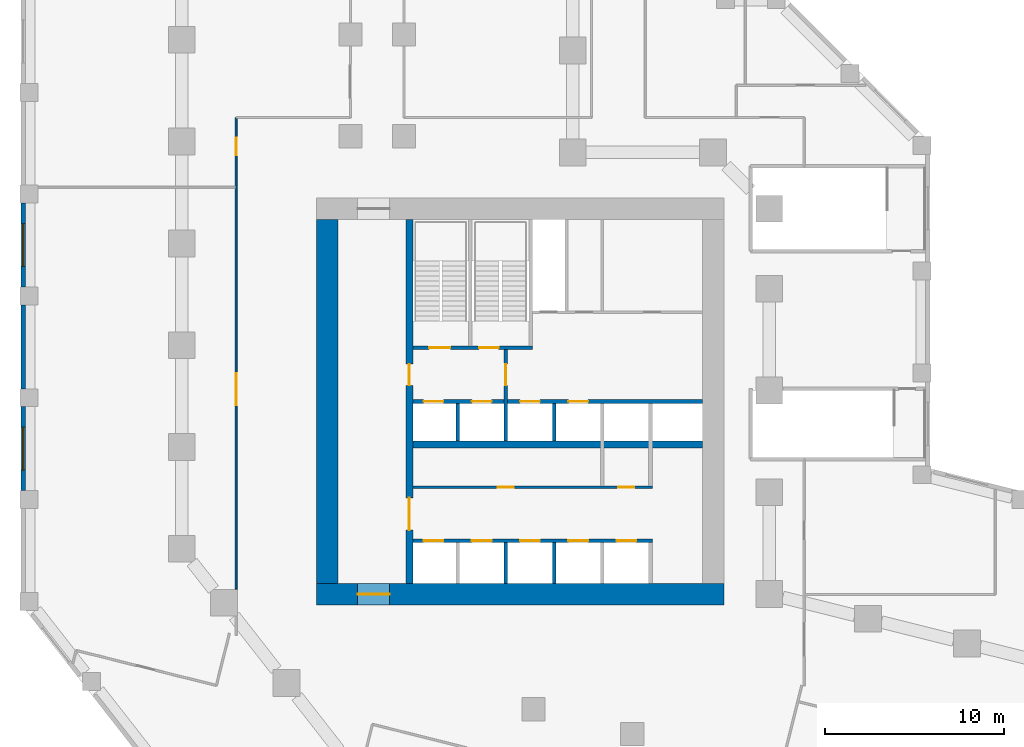
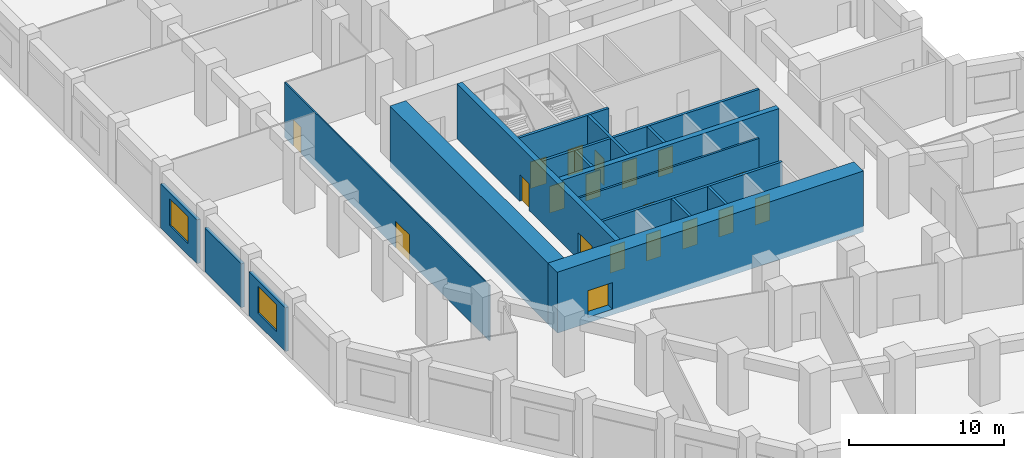
# One storey, part 5 of 13: 19 doors, 17 walls, 2 windows, 21 openings.
"""IFC4 building model written with IfcOpenShell, lengths in metres."""

from ifc_helpers import new_model, si_unit, direction, frame, frame_2d, origin, place, context, subcontext, project, spatial, rectangle, extrude, material, layer, layer_set, type_object, element, fill, save


model = new_model("IFC4")

# Units and contexts
model_context = context("Model", 3, precision=1e-05, world=origin(), true_north=direction((0.0, 1.0)))
body_context = subcontext(model_context, "Body", "Model", "MODEL_VIEW")
ifc_project = project(units=[si_unit("LENGTHUNIT", "METRE"), si_unit("AREAUNIT", "SQUARE_METRE"), si_unit("VOLUMEUNIT", "CUBIC_METRE"), si_unit("PLANEANGLEUNIT", "RADIAN"), si_unit("MASSUNIT", "GRAM", prefix="KILO")], contexts=[model_context])

# Site, building, storey
site_placement = place(None, origin())
site = spatial("IfcSite", under=ifc_project, at=site_placement, CompositionType="ELEMENT")
building_placement = place(site_placement, origin())
building = spatial("IfcBuilding", under=site, at=building_placement, Name="Meshkara Civic Tower", CompositionType="ELEMENT")
storey_placement = place(building_placement, frame((0.0, 0.0, 28.199951171875)))
storey = spatial("IfcBuildingStorey", under=building, at=storey_placement, Name="L05", CompositionType="ELEMENT", Elevation=28.199951171875)

# Wall, openings, doors
ifc_material_1 = material(Name="Blockwork", Category="masonry")
ifc_layer_1 = layer(ifc_material_1, 0.14990234375)
ifc_layer_set_1 = layer_set([ifc_layer_1], Name="Core partition 150")
wall_type_1 = type_object("IfcWallType", Name="Core partition 150", PredefinedType="PARTITIONING", material=ifc_layer_set_1)
wall_1_placement = place(storey_placement, frame((13.39990234375, 20.699951171875, 0.0), z_axis=(0.0, 0.0, 1.0), x_axis=(1.0, 0.0, 0.0)))
wall_1 = element("IfcWall", 1, at=wall_1_placement, inside=storey, type_object=wall_type_1, Name="L05-C006", PredefinedType="PARTITIONING", context=body_context, shape_type="SweptSolid", body=[
    extrude(rectangle(XDim=13.400146484375, YDim=0.14990234375, at=frame_2d((6.7001953125, 0.0))), origin(), (0.0, 0.0, 1.0), 4.35009765625),
])
opening_1_placement = place(wall_1_placement, frame((4.75, 0.0, 0.0)))
opening_1 = element("IfcOpeningElement", 2, at=opening_1_placement, cuts=wall_1, Name="Opening L05-K010", PredefinedType="OPENING", context=body_context, shape_type="SweptSolid", body=[
    extrude(rectangle(XDim=0.89990234375, YDim=2.10009765625, at=frame_2d((0.449951171875, 1.050048828125))), frame((0.0, 0.0849609375, 0.0), z_axis=(0.0, -1.0, 0.0), x_axis=(1.0, 0.0, 0.0)), (0.0, 0.0, 1.0), 0.169921875),
])
opening_2_placement = place(wall_1_placement, frame((11.5, 0.0, 0.0)))
opening_2 = element("IfcOpeningElement", 3, at=opening_2_placement, cuts=wall_1, Name="Opening L05-K011", PredefinedType="OPENING", context=body_context, shape_type="SweptSolid", body=[
    extrude(rectangle(XDim=0.89990234375, YDim=2.10009765625, at=frame_2d((0.449951171875, 1.050048828125))), frame((0.0, 0.0849609375, 0.0), z_axis=(0.0, -1.0, 0.0), x_axis=(1.0, 0.0, 0.0)), (0.0, 0.0, 1.0), 0.169921875),
])
ifc_material_2 = material(Name="Timber door leaf in steel frame", Category="steel")
door_type_1 = type_object("IfcDoorType", Name="Core room door 900", OperationType="SINGLE_SWING_LEFT", PredefinedType="DOOR", material=ifc_material_2)
door_1_placement = place(opening_1_placement, origin())
door_1 = element("IfcDoor", 4, at=door_1_placement, inside=storey, type_object=door_type_1, Name="L05-K010", OperationType="SINGLE_SWING_RIGHT", OverallHeight=2.10009765625, OverallWidth=0.89990234375, PredefinedType="DOOR", context=body_context, shape_type="SweptSolid", body=[
    extrude(rectangle(XDim=0.89990234375, YDim=2.10009765625, at=frame_2d((0.449951171875, 1.050048828125))), frame((0.0, 0.02490234375, 0.0), z_axis=(0.0, -1.0, 0.0), x_axis=(1.0, 0.0, 0.0)), (0.0, 0.0, 1.0), 0.050048828125),
])
fill(opening_1, door_1)
door_2_placement = place(opening_2_placement, origin())
door_2 = element("IfcDoor", 5, at=door_2_placement, inside=storey, type_object=door_type_1, Name="L05-K011", OperationType="SINGLE_SWING_RIGHT", OverallHeight=2.10009765625, OverallWidth=0.89990234375, PredefinedType="DOOR", context=body_context, shape_type="SweptSolid", body=[
    extrude(rectangle(XDim=0.89990234375, YDim=2.10009765625, at=frame_2d((0.449951171875, 1.050048828125))), frame((0.0, 0.02490234375, 0.0), z_axis=(0.0, -1.0, 0.0), x_axis=(1.0, 0.0, 0.0)), (0.0, 0.0, 1.0), 0.050048828125),
])
fill(opening_2, door_2)

# Wall, opening, door
ifc_material_3 = material(Name="Concrete C80", Category="concrete")
ifc_layer_2 = layer(ifc_material_3, 1.199951171875)
ifc_layer_set_2 = layer_set([ifc_layer_2], Name="Core ring wall 1200 C80")
wall_type_2 = type_object("IfcWallType", Name="Core ring wall 1200 C80", PredefinedType="SHEAR", material=ifc_layer_set_2)
wall_2_placement = place(storey_placement, frame((8.0, 14.699951171875, -0.449951171875), z_axis=(0.0, 0.0, 1.0), x_axis=(1.0, 0.0, 0.0)))
wall_2 = element("IfcWall", 6, at=wall_2_placement, inside=storey, type_object=wall_type_2, Name="L05-C001", PredefinedType="SHEAR", context=body_context, shape_type="SweptSolid", body=[
    extrude(rectangle(XDim=22.800048828125, YDim=1.199951171875, at=frame_2d((11.39990234375, 0.0))), origin(), (0.0, 0.0, 1.0), 4.800048828125),
])
opening_3_placement = place(wall_2_placement, frame((2.300048828125, 0.0, 0.449951171875)))
opening_3 = element("IfcOpeningElement", 7, at=opening_3_placement, cuts=wall_2, Name="Opening L05-K021", PredefinedType="OPENING", context=body_context, shape_type="SweptSolid", body=[
    extrude(rectangle(XDim=1.800048828125, YDim=2.10009765625, at=frame_2d((0.89990234375, 1.050048828125))), frame((0.0, 0.60986328125, 0.0), z_axis=(0.0, -1.0, 0.0), x_axis=(1.0, 0.0, 0.0)), (0.0, 0.0, 1.0), 1.219970703125),
])
ifc_material_4 = material(Name="Fire-rated door leaf in steel frame", Category="steel")
door_type_2 = type_object("IfcDoorType", Name="Core double door 1800 EI 60", OperationType="DOUBLE_DOOR_SINGLE_SWING", PredefinedType="DOOR", material=ifc_material_4)
door_3_placement = place(opening_3_placement, origin())
door_3 = element("IfcDoor", 8, at=door_3_placement, inside=storey, type_object=door_type_2, Name="L05-K021", OperationType="DOUBLE_DOOR_SINGLE_SWING", OverallHeight=2.10009765625, OverallWidth=1.800048828125, PredefinedType="DOOR", context=body_context, shape_type="SweptSolid", body=[
    extrude(rectangle(XDim=1.800048828125, YDim=2.10009765625, at=frame_2d((0.89990234375, 1.050048828125))), frame((0.0, 0.02490234375, 0.0), z_axis=(0.0, -1.0, 0.0), x_axis=(1.0, 0.0, 0.0)), (0.0, 0.0, 1.0), 0.050048828125),
])
fill(opening_3, door_3)

# Walls
wall_3_placement = place(storey_placement, frame((8.60009765625, 15.300048828125, -0.449951171875), z_axis=(0.0, 0.0, 1.0), x_axis=(0.0, 1.0, 0.0)))
element("IfcWall", 9, at=wall_3_placement, inside=storey, type_object=wall_type_2, Name="L05-C003", PredefinedType="SHEAR", context=body_context, shape_type="SweptSolid", body=[
    extrude(rectangle(XDim=20.39990234375, YDim=1.199951171875, at=frame_2d((10.199951171875, 0.0))), origin(), (0.0, 0.0, 1.0), 4.800048828125),
])
ifc_material_5 = material(Name="Concrete C80", Category="concrete")
ifc_layer_3 = layer(ifc_material_5, 0.39990234375)
ifc_layer_set_3 = layer_set([ifc_layer_3], Name="Core shear wall 400 C80")
wall_type_3 = type_object("IfcWallType", Name="Core shear wall 400 C80", PredefinedType="SHEAR", material=ifc_layer_set_3)
wall_4_placement = place(storey_placement, frame((13.39990234375, 23.10009765625, 0.0), z_axis=(0.0, 0.0, 1.0), x_axis=(1.0, 0.0, 0.0)))
element("IfcWall", 10, at=wall_4_placement, inside=storey, type_object=wall_type_3, Name="L05-C007", PredefinedType="SHEAR", context=body_context, shape_type="SweptSolid", body=[
    extrude(rectangle(XDim=16.2001953125, YDim=0.39990234375, at=frame_2d((8.10009765625, 0.0))), origin(), (0.0, 0.0, 1.0), 4.35009765625),
])

# Wall, openings, doors
wall_5_placement = place(storey_placement, frame((13.199951171875, 15.300048828125, 0.0), z_axis=(0.0, 0.0, 1.0), x_axis=(0.0, 1.0, 0.0)))
wall_5 = element("IfcWall", 11, at=wall_5_placement, inside=storey, type_object=wall_type_3, Name="L05-C011", PredefinedType="SHEAR", context=body_context, shape_type="SweptSolid", body=[
    extrude(rectangle(XDim=20.39990234375, YDim=0.39990234375, at=frame_2d((10.199951171875, 0.0))), origin(), (0.0, 0.0, 1.0), 4.35009765625),
])
opening_4_placement = place(wall_5_placement, frame((3.0, 0.0, 0.0)))
opening_4 = element("IfcOpeningElement", 12, at=opening_4_placement, cuts=wall_5, Name="Opening L05-K017", PredefinedType="OPENING", context=body_context, shape_type="SweptSolid", body=[
    extrude(rectangle(XDim=1.800048828125, YDim=2.10009765625, at=frame_2d((0.89990234375, 1.050048828125))), frame((0.0, 0.2099609375, 0.0), z_axis=(0.0, -1.0, 0.0), x_axis=(1.0, 0.0, 0.0)), (0.0, 0.0, 1.0), 0.419921875),
])
opening_5_placement = place(wall_5_placement, frame((11.10009765625, 0.0, 0.0)))
opening_5 = element("IfcOpeningElement", 13, at=opening_5_placement, cuts=wall_5, Name="Opening L05-K018", PredefinedType="OPENING", context=body_context, shape_type="SweptSolid", body=[
    extrude(rectangle(XDim=1.199951171875, YDim=2.10009765625, at=frame_2d((0.60009765625, 1.050048828125))), frame((0.0, 0.2099609375, 0.0), z_axis=(0.0, -1.0, 0.0), x_axis=(1.0, 0.0, 0.0)), (0.0, 0.0, 1.0), 0.419921875),
])
door_4_placement = place(opening_4_placement, origin())
door_4 = element("IfcDoor", 14, at=door_4_placement, inside=storey, type_object=door_type_2, Name="L05-K017", OperationType="DOUBLE_DOOR_SINGLE_SWING", OverallHeight=2.10009765625, OverallWidth=1.800048828125, PredefinedType="DOOR", context=body_context, shape_type="SweptSolid", body=[
    extrude(rectangle(XDim=1.800048828125, YDim=2.10009765625, at=frame_2d((0.89990234375, 1.050048828125))), frame((0.0, 0.02490234375, 0.0), z_axis=(0.0, -1.0, 0.0), x_axis=(1.0, 0.0, 0.0)), (0.0, 0.0, 1.0), 0.050048828125),
])
fill(opening_4, door_4)
ifc_material_6 = material(Name="Fire-rated door leaf in steel frame", Category="steel")
door_type_3 = type_object("IfcDoorType", Name="Fire-fighting lobby door 1200 EI 120", OperationType="SINGLE_SWING_LEFT", PredefinedType="DOOR", material=ifc_material_6)
door_5_placement = place(opening_5_placement, origin())
door_5 = element("IfcDoor", 15, at=door_5_placement, inside=storey, type_object=door_type_3, Name="L05-K018", OperationType="SINGLE_SWING_LEFT", OverallHeight=2.10009765625, OverallWidth=1.199951171875, PredefinedType="DOOR", context=body_context, shape_type="SweptSolid", body=[
    extrude(rectangle(XDim=1.199951171875, YDim=2.10009765625, at=frame_2d((0.60009765625, 1.050048828125))), frame((0.0, 0.02490234375, 0.0), z_axis=(0.0, -1.0, 0.0), x_axis=(1.0, 0.0, 0.0)), (0.0, 0.0, 1.0), 0.050048828125),
])
fill(opening_5, door_5)

ifc_material_7 = material(Name="Corridor wall 100")
ifc_layer_4 = layer(ifc_material_7, 0.10009765625)
ifc_layer_set_4 = layer_set([ifc_layer_4], Name="Corridor wall 100")
wall_type_4 = type_object("IfcWallType", Name="Corridor wall 100", PredefinedType="PARTITIONING", material=ifc_layer_set_4)
wall_6_placement = place(storey_placement, frame((3.5, 14.9990234375, 0.0), z_axis=(0.0, 0.0, 1.0), x_axis=(0.0, 1.0, 0.0)))
wall_6 = element("IfcWall", 16, at=wall_6_placement, inside=storey, type_object=wall_type_4, Name="L05-R008", PredefinedType="PARTITIONING", context=body_context, shape_type="SweptSolid", body=[
    extrude(rectangle(XDim=26.40087890625, YDim=0.10009765625, at=frame_2d((13.200439453125, 0.0))), origin(), (0.0, 0.0, 1.0), 4.35009765625),
])
opening_6_placement = place(wall_6_placement, frame((10.280029296875, 0.0, 0.0)))
opening_6 = element("IfcOpeningElement", 17, at=opening_6_placement, cuts=wall_6, Name="Opening L05-P023", PredefinedType="OPENING", context=body_context, shape_type="SweptSolid", body=[
    extrude(rectangle(XDim=1.800048828125, YDim=2.10009765625, at=frame_2d((0.89990234375, 1.050048828125))), frame((0.0, 0.06005859375, 0.0), z_axis=(0.0, -1.0, 0.0), x_axis=(1.0, 0.0, 0.0)), (0.0, 0.0, 1.0), 0.1201171875),
])
opening_7_placement = place(wall_6_placement, frame((24.281005859375, 0.0, 0.0)))
opening_7 = element("IfcOpeningElement", 18, at=opening_7_placement, cuts=wall_6, Name="Opening L05-P026", PredefinedType="OPENING", context=body_context, shape_type="SweptSolid", body=[
    extrude(rectangle(XDim=1.0, YDim=2.10009765625, at=frame_2d((0.5, 1.050048828125))), frame((0.0, 0.06005859375, 0.0), z_axis=(0.0, -1.0, 0.0), x_axis=(1.0, 0.0, 0.0)), (0.0, 0.0, 1.0), 0.1201171875),
])
ifc_material_8 = material(Name="Door 1000 x 2100")
door_type_4 = type_object("IfcDoorType", Name="Door 1000 x 2100", OperationType="SINGLE_SWING_LEFT", PredefinedType="DOOR", material=ifc_material_8)
door_6_placement = place(opening_7_placement, origin())
door_6 = element("IfcDoor", 19, at=door_6_placement, inside=storey, type_object=door_type_4, Name="L05-P026", OperationType="SINGLE_SWING_RIGHT", OverallHeight=2.10009765625, OverallWidth=1.0, PredefinedType="DOOR", context=body_context, shape_type="SweptSolid", body=[
    extrude(rectangle(XDim=1.0, YDim=2.10009765625, at=frame_2d((0.5, 1.050048828125))), frame((0.0, 0.02490234375, 0.0), z_axis=(0.0, -1.0, 0.0), x_axis=(1.0, 0.0, 0.0)), (0.0, 0.0, 1.0), 0.050048828125),
])
fill(opening_7, door_6)
ifc_material_9 = material(Name="Door pair 1800 x 2100")
door_type_5 = type_object("IfcDoorType", Name="Door pair 1800 x 2100", OperationType="SINGLE_SWING_LEFT", PredefinedType="DOOR", material=ifc_material_9)
door_7_placement = place(opening_6_placement, origin())
door_7 = element("IfcDoor", 20, at=door_7_placement, inside=storey, type_object=door_type_5, Name="L05-P023", OperationType="DOUBLE_DOOR_SINGLE_SWING", OverallHeight=2.10009765625, OverallWidth=1.800048828125, PredefinedType="DOOR", context=body_context, shape_type="SweptSolid", body=[
    extrude(rectangle(XDim=1.800048828125, YDim=2.10009765625, at=frame_2d((0.89990234375, 1.050048828125))), frame((0.0, 0.02490234375, 0.0), z_axis=(0.0, -1.0, 0.0), x_axis=(1.0, 0.0, 0.0)), (0.0, 0.0, 1.0), 0.050048828125),
])
fill(opening_6, door_7)

# Wall, opening, window
ifc_material_10 = material(Name="Stone cladding on insulated backing wall", Category="masonry")
ifc_layer_5 = layer(ifc_material_10, 0.25)
ifc_layer_set_5 = layer_set([ifc_layer_5], Name="PODIUM STONE WALL 250")
wall_type_5 = type_object("IfcWallType", Name="PODIUM STONE WALL 250", PredefinedType="SOLIDWALL", material=ifc_layer_set_5)
wall_7_placement = place(storey_placement, frame((-8.425048828125, 36.611083984375, 0.0), z_axis=(0.0, 0.0, 1.0), x_axis=(0.0, -1.0, 0.0)))
wall_7 = element("IfcWall", 21, at=wall_7_placement, inside=storey, type_object=wall_type_5, Name="Podium external wall", PredefinedType="SOLIDWALL", context=body_context, shape_type="SweptSolid", body=[
    extrude(rectangle(XDim=4.7001953125, YDim=0.25, at=frame_2d((2.35009765625, 0.0))), origin(), (0.0, 0.0, 1.0), 3.449951171875),
])
opening_8_placement = place(wall_7_placement, frame((1.14990234375, 0.0, 0.89990234375)))
opening_8 = element("IfcOpeningElement", 22, at=opening_8_placement, cuts=wall_7, Name="Opening PW10", PredefinedType="OPENING", context=body_context, shape_type="SweptSolid", body=[
    extrude(rectangle(XDim=2.39990234375, YDim=2.10009765625, at=frame_2d((1.199951171875, 1.050048828125))), frame((0.0, 0.135009765625, 0.0), z_axis=(0.0, -1.0, 0.0), x_axis=(1.0, 0.0, 0.0)), (0.0, 0.0, 1.0), 0.27001953125),
])
ifc_material_11 = material(Name="Tinted double glazing", Category="glass")
window_type = type_object("IfcWindowType", Name="PODIUM WINDOW 2400x2100", PartitioningType="DOUBLE_PANEL_VERTICAL", PredefinedType="WINDOW", material=ifc_material_11)
window_1_placement = place(opening_8_placement, origin())
window_1 = element("IfcWindow", 23, at=window_1_placement, inside=storey, type_object=window_type, Name="Podium window", OverallHeight=2.10009765625, OverallWidth=2.39990234375, PartitioningType="DOUBLE_PANEL_VERTICAL", PredefinedType="WINDOW", context=body_context, shape_type="SweptSolid", body=[
    extrude(rectangle(XDim=2.39990234375, YDim=2.10009765625, at=frame_2d((1.199951171875, 1.050048828125))), frame((0.0, 0.030029296875, 0.0), z_axis=(0.0, -1.0, 0.0), x_axis=(1.0, 0.0, 0.0)), (0.0, 0.0, 1.0), 0.06005859375),
])
fill(opening_8, window_1)

# Wall
wall_8_placement = place(storey_placement, frame((-8.425048828125, 30.910888671875, 0.0), z_axis=(0.0, 0.0, 1.0), x_axis=(0.0, -1.0, 0.0)))
element("IfcWall", 24, at=wall_8_placement, inside=storey, type_object=wall_type_5, Name="Podium external wall", PredefinedType="SOLIDWALL", context=body_context, shape_type="SweptSolid", body=[
    extrude(rectangle(XDim=4.699951171875, YDim=0.25, at=frame_2d((2.35009765625, 0.0))), origin(), (0.0, 0.0, 1.0), 3.449951171875),
])

# Wall, opening, window
wall_9_placement = place(storey_placement, frame((-8.425048828125, 25.2109375, 0.0), z_axis=(0.0, 0.0, 1.0), x_axis=(0.0, -1.0, 0.0)))
wall_9 = element("IfcWall", 25, at=wall_9_placement, inside=storey, type_object=wall_type_5, Name="Podium external wall", PredefinedType="SOLIDWALL", context=body_context, shape_type="SweptSolid", body=[
    extrude(rectangle(XDim=4.699951171875, YDim=0.25, at=frame_2d((2.35009765625, 0.0))), origin(), (0.0, 0.0, 1.0), 3.449951171875),
])
opening_9_placement = place(wall_9_placement, frame((1.14990234375, 0.0, 0.89990234375)))
opening_9 = element("IfcOpeningElement", 26, at=opening_9_placement, cuts=wall_9, Name="Opening PW10", PredefinedType="OPENING", context=body_context, shape_type="SweptSolid", body=[
    extrude(rectangle(XDim=2.39990234375, YDim=2.10009765625, at=frame_2d((1.199951171875, 1.050048828125))), frame((0.0, 0.135009765625, 0.0), z_axis=(0.0, -1.0, 0.0), x_axis=(1.0, 0.0, 0.0)), (0.0, 0.0, 1.0), 0.27001953125),
])
window_2_placement = place(opening_9_placement, origin())
window_2 = element("IfcWindow", 27, at=window_2_placement, inside=storey, type_object=window_type, Name="Podium window", OverallHeight=2.10009765625, OverallWidth=2.39990234375, PartitioningType="DOUBLE_PANEL_VERTICAL", PredefinedType="WINDOW", context=body_context, shape_type="SweptSolid", body=[
    extrude(rectangle(XDim=2.39990234375, YDim=2.10009765625, at=frame_2d((1.199951171875, 1.050048828125))), frame((0.0, 0.030029296875, 0.0), z_axis=(0.0, -1.0, 0.0), x_axis=(1.0, 0.0, 0.0)), (0.0, 0.0, 1.0), 0.06005859375),
])
fill(opening_9, window_2)

# Wall, openings, doors
ifc_material_12 = material(Name="Concrete C40/50", Category="concrete")
ifc_layer_6 = layer(ifc_material_12, 0.199951171875)
ifc_layer_set_6 = layer_set([ifc_layer_6], Name="Shaft wall 200 C40/50")
wall_type_6 = type_object("IfcWallType", Name="Shaft wall 200 C40/50", PredefinedType="SOLIDWALL", material=ifc_layer_set_6)
wall_10_placement = place(storey_placement, frame((13.39990234375, 17.699951171875, 0.0), z_axis=(0.0, 0.0, 1.0), x_axis=(1.0, 0.0, 0.0)))
wall_10 = element("IfcWall", 28, at=wall_10_placement, inside=storey, type_object=wall_type_6, Name="L05-C005", PredefinedType="SOLIDWALL", context=body_context, shape_type="SweptSolid", body=[
    extrude(rectangle(XDim=13.400146484375, YDim=0.199951171875, at=frame_2d((6.7001953125, 0.0))), origin(), (0.0, 0.0, 1.0), 4.35009765625),
])
opening_10_placement = place(wall_10_placement, frame((0.60009765625, 0.0, 0.0)))
opening_10 = element("IfcOpeningElement", 29, at=opening_10_placement, cuts=wall_10, Name="Opening L05-K001", PredefinedType="OPENING", context=body_context, shape_type="SweptSolid", body=[
    extrude(rectangle(XDim=1.10009765625, YDim=2.10009765625, at=frame_2d((0.550048828125, 1.050048828125))), frame((0.0, 0.10986328125, 0.0), z_axis=(0.0, -1.0, 0.0), x_axis=(1.0, 0.0, 0.0)), (0.0, 0.0, 1.0), 0.219970703125),
])
opening_11_placement = place(wall_10_placement, frame((3.300048828125, 0.0, 0.0)))
opening_11 = element("IfcOpeningElement", 30, at=opening_11_placement, cuts=wall_10, Name="Opening L05-K002", PredefinedType="OPENING", context=body_context, shape_type="SweptSolid", body=[
    extrude(rectangle(XDim=1.10009765625, YDim=2.10009765625, at=frame_2d((0.550048828125, 1.050048828125))), frame((0.0, 0.10986328125, 0.0), z_axis=(0.0, -1.0, 0.0), x_axis=(1.0, 0.0, 0.0)), (0.0, 0.0, 1.0), 0.219970703125),
])
opening_12_placement = place(wall_10_placement, frame((6.0, 0.0, 0.0)))
opening_12 = element("IfcOpeningElement", 31, at=opening_12_placement, cuts=wall_10, Name="Opening L05-K003", PredefinedType="OPENING", context=body_context, shape_type="SweptSolid", body=[
    extrude(rectangle(XDim=1.10009765625, YDim=2.10009765625, at=frame_2d((0.550048828125, 1.050048828125))), frame((0.0, 0.10986328125, 0.0), z_axis=(0.0, -1.0, 0.0), x_axis=(1.0, 0.0, 0.0)), (0.0, 0.0, 1.0), 0.219970703125),
])
opening_13_placement = place(wall_10_placement, frame((8.699951171875, 0.0, 0.0)))
opening_13 = element("IfcOpeningElement", 32, at=opening_13_placement, cuts=wall_10, Name="Opening L05-K004", PredefinedType="OPENING", context=body_context, shape_type="SweptSolid", body=[
    extrude(rectangle(XDim=1.10009765625, YDim=2.10009765625, at=frame_2d((0.550048828125, 1.050048828125))), frame((0.0, 0.10986328125, 0.0), z_axis=(0.0, -1.0, 0.0), x_axis=(1.0, 0.0, 0.0)), (0.0, 0.0, 1.0), 0.219970703125),
])
opening_14_placement = place(wall_10_placement, frame((11.39990234375, 0.0, 0.0)))
opening_14 = element("IfcOpeningElement", 33, at=opening_14_placement, cuts=wall_10, Name="Opening L05-K005", PredefinedType="OPENING", context=body_context, shape_type="SweptSolid", body=[
    extrude(rectangle(XDim=1.10009765625, YDim=2.10009765625, at=frame_2d((0.550048828125, 1.050048828125))), frame((0.0, 0.10986328125, 0.0), z_axis=(0.0, -1.0, 0.0), x_axis=(1.0, 0.0, 0.0)), (0.0, 0.0, 1.0), 0.219970703125),
])
ifc_material_13 = material(Name="Stainless steel landing door", Category="steel")
door_type_6 = type_object("IfcDoorType", Name="Lift landing door 1100", OperationType="SLIDING_TO_LEFT", PredefinedType="DOOR", material=ifc_material_13)
door_8_placement = place(opening_10_placement, origin())
door_8 = element("IfcDoor", 34, at=door_8_placement, inside=storey, type_object=door_type_6, Name="L05-K001", OperationType="SLIDING_TO_LEFT", OverallHeight=2.10009765625, OverallWidth=1.10009765625, PredefinedType="DOOR", context=body_context, shape_type="SweptSolid", body=[
    extrude(rectangle(XDim=1.10009765625, YDim=2.10009765625, at=frame_2d((0.550048828125, 1.050048828125))), frame((0.0, 0.02490234375, 0.0), z_axis=(0.0, -1.0, 0.0), x_axis=(1.0, 0.0, 0.0)), (0.0, 0.0, 1.0), 0.050048828125),
])
fill(opening_10, door_8)
door_9_placement = place(opening_11_placement, origin())
door_9 = element("IfcDoor", 35, at=door_9_placement, inside=storey, type_object=door_type_6, Name="L05-K002", OperationType="SLIDING_TO_LEFT", OverallHeight=2.10009765625, OverallWidth=1.10009765625, PredefinedType="DOOR", context=body_context, shape_type="SweptSolid", body=[
    extrude(rectangle(XDim=1.10009765625, YDim=2.10009765625, at=frame_2d((0.550048828125, 1.050048828125))), frame((0.0, 0.02490234375, 0.0), z_axis=(0.0, -1.0, 0.0), x_axis=(1.0, 0.0, 0.0)), (0.0, 0.0, 1.0), 0.050048828125),
])
fill(opening_11, door_9)
door_10_placement = place(opening_12_placement, origin())
door_10 = element("IfcDoor", 36, at=door_10_placement, inside=storey, type_object=door_type_6, Name="L05-K003", OperationType="SLIDING_TO_LEFT", OverallHeight=2.10009765625, OverallWidth=1.10009765625, PredefinedType="DOOR", context=body_context, shape_type="SweptSolid", body=[
    extrude(rectangle(XDim=1.10009765625, YDim=2.10009765625, at=frame_2d((0.550048828125, 1.050048828125))), frame((0.0, 0.02490234375, 0.0), z_axis=(0.0, -1.0, 0.0), x_axis=(1.0, 0.0, 0.0)), (0.0, 0.0, 1.0), 0.050048828125),
])
fill(opening_12, door_10)
door_11_placement = place(opening_13_placement, origin())
door_11 = element("IfcDoor", 37, at=door_11_placement, inside=storey, type_object=door_type_6, Name="L05-K004", OperationType="SLIDING_TO_LEFT", OverallHeight=2.10009765625, OverallWidth=1.10009765625, PredefinedType="DOOR", context=body_context, shape_type="SweptSolid", body=[
    extrude(rectangle(XDim=1.10009765625, YDim=2.10009765625, at=frame_2d((0.550048828125, 1.050048828125))), frame((0.0, 0.02490234375, 0.0), z_axis=(0.0, -1.0, 0.0), x_axis=(1.0, 0.0, 0.0)), (0.0, 0.0, 1.0), 0.050048828125),
])
fill(opening_13, door_11)
door_12_placement = place(opening_14_placement, origin())
door_12 = element("IfcDoor", 38, at=door_12_placement, inside=storey, type_object=door_type_6, Name="L05-K005", OperationType="SLIDING_TO_LEFT", OverallHeight=2.10009765625, OverallWidth=1.10009765625, PredefinedType="DOOR", context=body_context, shape_type="SweptSolid", body=[
    extrude(rectangle(XDim=1.10009765625, YDim=2.10009765625, at=frame_2d((0.550048828125, 1.050048828125))), frame((0.0, 0.02490234375, 0.0), z_axis=(0.0, -1.0, 0.0), x_axis=(1.0, 0.0, 0.0)), (0.0, 0.0, 1.0), 0.050048828125),
])
fill(opening_14, door_12)

wall_11_placement = place(storey_placement, frame((13.39990234375, 25.5, 0.0), z_axis=(0.0, 0.0, 1.0), x_axis=(1.0, 0.0, 0.0)))
wall_11 = element("IfcWall", 39, at=wall_11_placement, inside=storey, type_object=wall_type_6, Name="L05-C008", PredefinedType="SOLIDWALL", context=body_context, shape_type="SweptSolid", body=[
    extrude(rectangle(XDim=16.2001953125, YDim=0.199951171875, at=frame_2d((8.10009765625, 0.0))), origin(), (0.0, 0.0, 1.0), 4.35009765625),
])
opening_15_placement = place(wall_11_placement, frame((0.60009765625, 0.0, 0.0)))
opening_15 = element("IfcOpeningElement", 40, at=opening_15_placement, cuts=wall_11, Name="Opening L05-K006", PredefinedType="OPENING", context=body_context, shape_type="SweptSolid", body=[
    extrude(rectangle(XDim=1.10009765625, YDim=2.10009765625, at=frame_2d((0.550048828125, 1.050048828125))), frame((0.0, 0.10986328125, 0.0), z_axis=(0.0, -1.0, 0.0), x_axis=(1.0, 0.0, 0.0)), (0.0, 0.0, 1.0), 0.219970703125),
])
opening_16_placement = place(wall_11_placement, frame((3.300048828125, 0.0, 0.0)))
opening_16 = element("IfcOpeningElement", 41, at=opening_16_placement, cuts=wall_11, Name="Opening L05-K007", PredefinedType="OPENING", context=body_context, shape_type="SweptSolid", body=[
    extrude(rectangle(XDim=1.10009765625, YDim=2.10009765625, at=frame_2d((0.550048828125, 1.050048828125))), frame((0.0, 0.10986328125, 0.0), z_axis=(0.0, -1.0, 0.0), x_axis=(1.0, 0.0, 0.0)), (0.0, 0.0, 1.0), 0.219970703125),
])
opening_17_placement = place(wall_11_placement, frame((6.0, 0.0, 0.0)))
opening_17 = element("IfcOpeningElement", 42, at=opening_17_placement, cuts=wall_11, Name="Opening L05-K008", PredefinedType="OPENING", context=body_context, shape_type="SweptSolid", body=[
    extrude(rectangle(XDim=1.10009765625, YDim=2.10009765625, at=frame_2d((0.550048828125, 1.050048828125))), frame((0.0, 0.10986328125, 0.0), z_axis=(0.0, -1.0, 0.0), x_axis=(1.0, 0.0, 0.0)), (0.0, 0.0, 1.0), 0.219970703125),
])
opening_18_placement = place(wall_11_placement, frame((8.699951171875, 0.0, 0.0)))
opening_18 = element("IfcOpeningElement", 43, at=opening_18_placement, cuts=wall_11, Name="Opening L05-K009", PredefinedType="OPENING", context=body_context, shape_type="SweptSolid", body=[
    extrude(rectangle(XDim=1.10009765625, YDim=2.10009765625, at=frame_2d((0.550048828125, 1.050048828125))), frame((0.0, 0.10986328125, 0.0), z_axis=(0.0, -1.0, 0.0), x_axis=(1.0, 0.0, 0.0)), (0.0, 0.0, 1.0), 0.219970703125),
])
door_13_placement = place(opening_15_placement, origin())
door_13 = element("IfcDoor", 44, at=door_13_placement, inside=storey, type_object=door_type_6, Name="L05-K006", OperationType="SLIDING_TO_LEFT", OverallHeight=2.10009765625, OverallWidth=1.10009765625, PredefinedType="DOOR", context=body_context, shape_type="SweptSolid", body=[
    extrude(rectangle(XDim=1.10009765625, YDim=2.10009765625, at=frame_2d((0.550048828125, 1.050048828125))), frame((0.0, 0.02490234375, 0.0), z_axis=(0.0, -1.0, 0.0), x_axis=(1.0, 0.0, 0.0)), (0.0, 0.0, 1.0), 0.050048828125),
])
fill(opening_15, door_13)
door_14_placement = place(opening_16_placement, origin())
door_14 = element("IfcDoor", 45, at=door_14_placement, inside=storey, type_object=door_type_6, Name="L05-K007", OperationType="SLIDING_TO_LEFT", OverallHeight=2.10009765625, OverallWidth=1.10009765625, PredefinedType="DOOR", context=body_context, shape_type="SweptSolid", body=[
    extrude(rectangle(XDim=1.10009765625, YDim=2.10009765625, at=frame_2d((0.550048828125, 1.050048828125))), frame((0.0, 0.02490234375, 0.0), z_axis=(0.0, -1.0, 0.0), x_axis=(1.0, 0.0, 0.0)), (0.0, 0.0, 1.0), 0.050048828125),
])
fill(opening_16, door_14)
door_15_placement = place(opening_17_placement, origin())
door_15 = element("IfcDoor", 46, at=door_15_placement, inside=storey, type_object=door_type_6, Name="L05-K008", OperationType="SLIDING_TO_LEFT", OverallHeight=2.10009765625, OverallWidth=1.10009765625, PredefinedType="DOOR", context=body_context, shape_type="SweptSolid", body=[
    extrude(rectangle(XDim=1.10009765625, YDim=2.10009765625, at=frame_2d((0.550048828125, 1.050048828125))), frame((0.0, 0.02490234375, 0.0), z_axis=(0.0, -1.0, 0.0), x_axis=(1.0, 0.0, 0.0)), (0.0, 0.0, 1.0), 0.050048828125),
])
fill(opening_17, door_15)
door_16_placement = place(opening_18_placement, origin())
door_16 = element("IfcDoor", 47, at=door_16_placement, inside=storey, type_object=door_type_6, Name="L05-K009", OperationType="SLIDING_TO_LEFT", OverallHeight=2.10009765625, OverallWidth=1.10009765625, PredefinedType="DOOR", context=body_context, shape_type="SweptSolid", body=[
    extrude(rectangle(XDim=1.10009765625, YDim=2.10009765625, at=frame_2d((0.550048828125, 1.050048828125))), frame((0.0, 0.02490234375, 0.0), z_axis=(0.0, -1.0, 0.0), x_axis=(1.0, 0.0, 0.0)), (0.0, 0.0, 1.0), 0.050048828125),
])
fill(opening_18, door_16)

# Walls
wall_12_placement = place(storey_placement, frame((15.89990234375, 23.300048828125, 0.0), z_axis=(0.0, 0.0, 1.0), x_axis=(0.0, 1.0, 0.0)))
element("IfcWall", 48, at=wall_12_placement, inside=storey, type_object=wall_type_6, Name="L05-C013", PredefinedType="SOLIDWALL", context=body_context, shape_type="SweptSolid", body=[
    extrude(rectangle(XDim=2.099853515625, YDim=0.199951171875, at=frame_2d((1.0498046875, 0.0))), origin(), (0.0, 0.0, 1.0), 4.35009765625),
])
wall_13_placement = place(storey_placement, frame((18.60009765625, 15.300048828125, 0.0), z_axis=(0.0, 0.0, 1.0), x_axis=(0.0, 1.0, 0.0)))
element("IfcWall", 49, at=wall_13_placement, inside=storey, type_object=wall_type_6, Name="L05-C015", PredefinedType="SOLIDWALL", context=body_context, shape_type="SweptSolid", body=[
    extrude(rectangle(XDim=2.300048828125, YDim=0.199951171875, at=frame_2d((1.14990234375, 0.0))), origin(), (0.0, 0.0, 1.0), 4.35009765625),
])

# Wall, opening, door
wall_14_placement = place(storey_placement, frame((18.60009765625, 23.300048828125, 0.0), z_axis=(0.0, 0.0, 1.0), x_axis=(0.0, 1.0, 0.0)))
wall_14 = element("IfcWall", 50, at=wall_14_placement, inside=storey, type_object=wall_type_6, Name="L05-C016", PredefinedType="SOLIDWALL", context=body_context, shape_type="SweptSolid", body=[
    extrude(rectangle(XDim=5.099853515625, YDim=0.199951171875, at=frame_2d((2.5498046875, 0.0))), origin(), (0.0, 0.0, 1.0), 4.35009765625),
])
opening_19_placement = place(wall_14_placement, frame((3.10009765625, 0.0, 0.0)))
opening_19 = element("IfcOpeningElement", 51, at=opening_19_placement, cuts=wall_14, Name="Opening L05-K019", PredefinedType="OPENING", context=body_context, shape_type="SweptSolid", body=[
    extrude(rectangle(XDim=1.199951171875, YDim=2.10009765625, at=frame_2d((0.60009765625, 1.050048828125))), frame((0.0, 0.10986328125, 0.0), z_axis=(0.0, -1.0, 0.0), x_axis=(1.0, 0.0, 0.0)), (0.0, 0.0, 1.0), 0.219970703125),
])
door_17_placement = place(opening_19_placement, origin())
door_17 = element("IfcDoor", 52, at=door_17_placement, inside=storey, type_object=door_type_3, Name="L05-K019", OperationType="SINGLE_SWING_RIGHT", OverallHeight=2.10009765625, OverallWidth=1.199951171875, PredefinedType="DOOR", context=body_context, shape_type="SweptSolid", body=[
    extrude(rectangle(XDim=1.199951171875, YDim=2.10009765625, at=frame_2d((0.60009765625, 1.050048828125))), frame((0.0, 0.02490234375, 0.0), z_axis=(0.0, -1.0, 0.0), x_axis=(1.0, 0.0, 0.0)), (0.0, 0.0, 1.0), 0.050048828125),
])
fill(opening_19, door_17)

# Walls
wall_15_placement = place(storey_placement, frame((21.300048828125, 15.300048828125, 0.0), z_axis=(0.0, 0.0, 1.0), x_axis=(0.0, 1.0, 0.0)))
element("IfcWall", 53, at=wall_15_placement, inside=storey, type_object=wall_type_6, Name="L05-C018", PredefinedType="SOLIDWALL", context=body_context, shape_type="SweptSolid", body=[
    extrude(rectangle(XDim=2.300048828125, YDim=0.199951171875, at=frame_2d((1.14990234375, 0.0))), origin(), (0.0, 0.0, 1.0), 4.35009765625),
])
wall_16_placement = place(storey_placement, frame((21.300048828125, 23.300048828125, 0.0), z_axis=(0.0, 0.0, 1.0), x_axis=(0.0, 1.0, 0.0)))
element("IfcWall", 54, at=wall_16_placement, inside=storey, type_object=wall_type_6, Name="L05-C019", PredefinedType="SOLIDWALL", context=body_context, shape_type="SweptSolid", body=[
    extrude(rectangle(XDim=2.099853515625, YDim=0.199951171875, at=frame_2d((1.0498046875, 0.0))), origin(), (0.0, 0.0, 1.0), 4.35009765625),
])

# Wall, openings, doors
ifc_material_14 = material(Name="Concrete C40/50", Category="concrete")
ifc_layer_7 = layer(ifc_material_14, 0.199951171875)
ifc_layer_set_7 = layer_set([ifc_layer_7], Name="Stair enclosure wall 200 C40/50")
wall_type_7 = type_object("IfcWallType", Name="Stair enclosure wall 200 C40/50", PredefinedType="SOLIDWALL", material=ifc_layer_set_7)
wall_17_placement = place(storey_placement, frame((13.39990234375, 28.5, 0.0), z_axis=(0.0, 0.0, 1.0), x_axis=(1.0, 0.0, 0.0)))
wall_17 = element("IfcWall", 55, at=wall_17_placement, inside=storey, type_object=wall_type_7, Name="L05-C009", PredefinedType="SOLIDWALL", context=body_context, shape_type="SweptSolid", body=[
    extrude(rectangle(XDim=6.7001953125, YDim=0.199951171875, at=frame_2d((3.35009765625, 0.0))), origin(), (0.0, 0.0, 1.0), 4.35009765625),
])
opening_20_placement = place(wall_17_placement, frame((0.89990234375, 0.0, 0.0)))
opening_20 = element("IfcOpeningElement", 56, at=opening_20_placement, cuts=wall_17, Name="Opening L05-K015", PredefinedType="OPENING", context=body_context, shape_type="SweptSolid", body=[
    extrude(rectangle(XDim=1.199951171875, YDim=2.10009765625, at=frame_2d((0.60009765625, 1.050048828125))), frame((0.0, 0.10986328125, 0.0), z_axis=(0.0, -1.0, 0.0), x_axis=(1.0, 0.0, 0.0)), (0.0, 0.0, 1.0), 0.219970703125),
])
opening_21_placement = place(wall_17_placement, frame((3.699951171875, 0.0, 0.0)))
opening_21 = element("IfcOpeningElement", 57, at=opening_21_placement, cuts=wall_17, Name="Opening L05-K016", PredefinedType="OPENING", context=body_context, shape_type="SweptSolid", body=[
    extrude(rectangle(XDim=1.10009765625, YDim=2.10009765625, at=frame_2d((0.550048828125, 1.050048828125))), frame((0.0, 0.10986328125, 0.0), z_axis=(0.0, -1.0, 0.0), x_axis=(1.0, 0.0, 0.0)), (0.0, 0.0, 1.0), 0.219970703125),
])
ifc_material_15 = material(Name="Fire-rated door leaf in steel frame", Category="steel")
door_type_7 = type_object("IfcDoorType", Name="Stair door 1100 EI 120", OperationType="SINGLE_SWING_LEFT", PredefinedType="DOOR", material=ifc_material_15)
door_18_placement = place(opening_21_placement, origin())
door_18 = element("IfcDoor", 58, at=door_18_placement, inside=storey, type_object=door_type_7, Name="L05-K016", OperationType="SINGLE_SWING_LEFT", OverallHeight=2.10009765625, OverallWidth=1.10009765625, PredefinedType="DOOR", context=body_context, shape_type="SweptSolid", body=[
    extrude(rectangle(XDim=1.10009765625, YDim=2.10009765625, at=frame_2d((0.550048828125, 1.050048828125))), frame((0.0, 0.02490234375, 0.0), z_axis=(0.0, -1.0, 0.0), x_axis=(1.0, 0.0, 0.0)), (0.0, 0.0, 1.0), 0.050048828125),
])
fill(opening_21, door_18)
ifc_material_16 = material(Name="Fire-rated door leaf in steel frame", Category="steel")
door_type_8 = type_object("IfcDoorType", Name="Stair door 1200 EI 120", OperationType="SINGLE_SWING_LEFT", PredefinedType="DOOR", material=ifc_material_16)
door_19_placement = place(opening_20_placement, origin())
door_19 = element("IfcDoor", 59, at=door_19_placement, inside=storey, type_object=door_type_8, Name="L05-K015", OperationType="SINGLE_SWING_RIGHT", OverallHeight=2.10009765625, OverallWidth=1.199951171875, PredefinedType="DOOR", context=body_context, shape_type="SweptSolid", body=[
    extrude(rectangle(XDim=1.199951171875, YDim=2.10009765625, at=frame_2d((0.60009765625, 1.050048828125))), frame((0.0, 0.02490234375, 0.0), z_axis=(0.0, -1.0, 0.0), x_axis=(1.0, 0.0, 0.0)), (0.0, 0.0, 1.0), 0.050048828125),
])
fill(opening_20, door_19)

save(model, "model.ifc")
